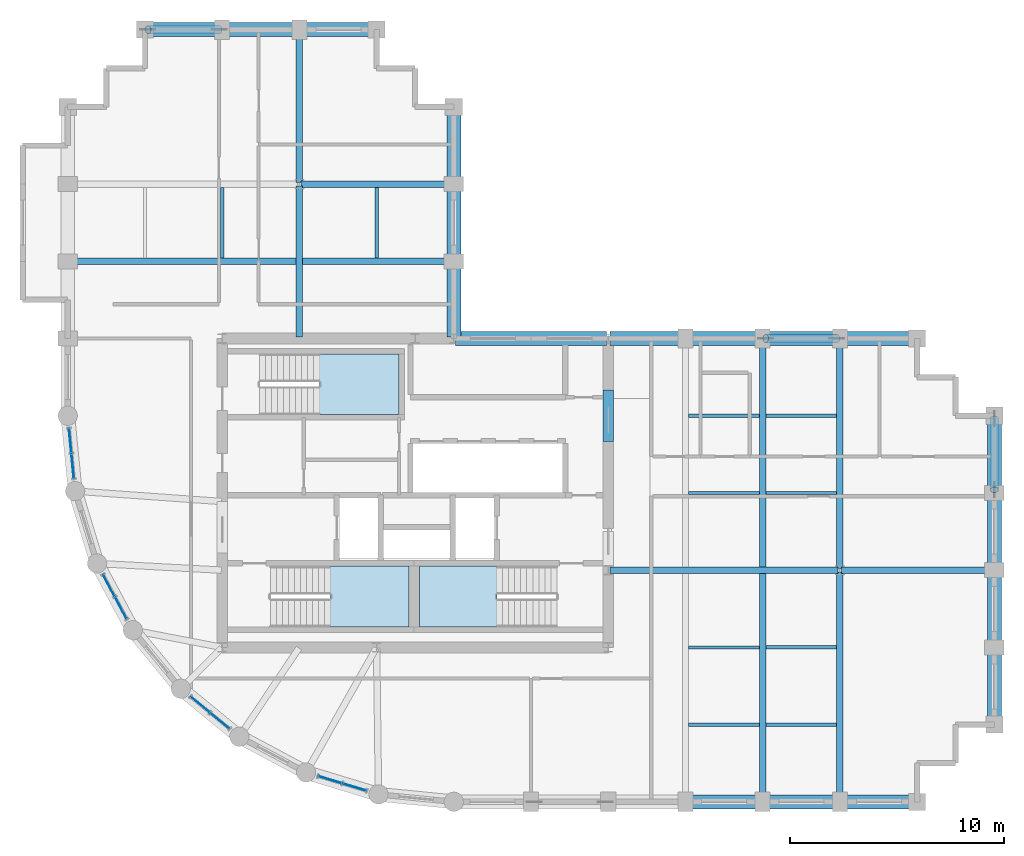
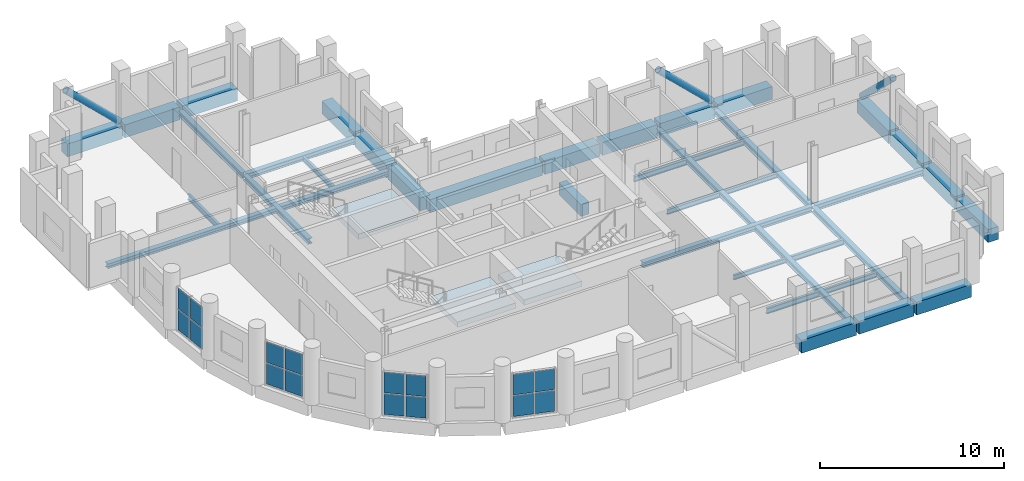
# One storey, part 7 of 12: 38 beams, 16 plates, 3 members, 3 slabs, 7 elements without a shape of their own.
"""IFC4 building model written with IfcOpenShell, lengths in metres."""

from ifc_helpers import new_model, si_unit, direction, frame, origin, origin_2d, place, context, subcontext, project, spatial, polyline, rectangle, hollow_circle, i_section, outline, extrude, material, layer, layer_set, material_profile, profile_set, type_object, element, aggregate, save


model = new_model("IFC4")

# Units and contexts
model_context = context("Model", 3, precision=1e-05, world=origin(), true_north=direction((0.0, 1.0)))
body_context = subcontext(model_context, "Body", "Model", "MODEL_VIEW")
ifc_project = project(units=[si_unit("LENGTHUNIT", "METRE"), si_unit("AREAUNIT", "SQUARE_METRE"), si_unit("VOLUMEUNIT", "CUBIC_METRE"), si_unit("PLANEANGLEUNIT", "RADIAN"), si_unit("MASSUNIT", "GRAM", prefix="KILO")], contexts=[model_context])

# Site, building, storey
site_placement = place(None, origin())
site = spatial("IfcSite", under=ifc_project, at=site_placement, CompositionType="ELEMENT")
building_placement = place(site_placement, origin())
building = spatial("IfcBuilding", under=site, at=building_placement, Name="Solnavia Interchange Tower", CompositionType="ELEMENT")
storey_placement = place(building_placement, frame((0.0, 0.0, 193.800048828125)))
storey = spatial("IfcBuildingStorey", under=building, at=storey_placement, Name="L48", CompositionType="ELEMENT", Elevation=193.800048828125)

# Beams
ifc_material_1 = material(Name="Concrete C50/60", Category="concrete")
ifc_material_profile_1 = material_profile(ifc_material_1, rectangle(XDim=0.5, YDim=0.800048828125, at=origin_2d()), Name="RC 500x800")
ifc_profile_set_1 = profile_set([ifc_material_profile_1], Name="Concrete C50/60")
beam_type_1 = type_object("IfcBeamType", Name="Beam-Coupling-RC500x800", PredefinedType="LINTEL", material=ifc_profile_set_1)
beam_1_placement = place(storey_placement, frame((32.39990234375, 20.39990234375, -0.400146484375), z_axis=(0.0, 1.0, 0.0), x_axis=(-1.0, 0.0, 0.0)))
element("IfcBeam", 1, at=beam_1_placement, inside=storey, type_object=beam_type_1, Name="CPB-L48-E2 Core coupling lintel beam", PredefinedType="LINTEL", context=body_context, shape_type="SweptSolid", body=[
    extrude(rectangle(XDim=0.5, YDim=0.800048828125, at=origin_2d()), origin(), (0.0, 0.0, 1.0), 2.400146484375),
])
ifc_material_2 = material(Name="Steel S460", Category="steel")
ifc_material_profile_2 = material_profile(ifc_material_2, i_section(OverallWidth=0.300048828125, OverallDepth=0.360107421875, WebThickness=0.012451171875, FlangeThickness=0.0224609375, FilletRadius=0.027099609375, at=origin_2d()), Name="HEB 360")
ifc_profile_set_2 = profile_set([ifc_material_profile_2], Name="Steel S460")
beam_type_2 = type_object("IfcBeamType", Name="Beam-Girder-HEB360", PredefinedType="BEAM", material=ifc_profile_set_2)
beam_2_placement = place(storey_placement, frame((32.47998046875, 14.39990234375, -0.429931640625), z_axis=(1.0, 0.0, 0.0), x_axis=(0.0, 1.0, 0.0)))
element("IfcBeam", 2, at=beam_2_placement, inside=storey, type_object=beam_type_2, Name="GRD-L48-ES01 East wing spine girder", PredefinedType="BEAM", context=body_context, shape_type="SweptSolid", body=[
    extrude(i_section(OverallWidth=0.300048828125, OverallDepth=0.360107421875, WebThickness=0.012451171875, FlangeThickness=0.0224609375, FilletRadius=0.027099609375, at=origin_2d()), origin(), (0.0, 0.0, 1.0), 10.64013671875),
])
beam_3_placement = place(storey_placement, frame((43.280029296875, 14.39990234375, -0.429931640625), z_axis=(1.0, 0.0, 0.0), x_axis=(0.0, 1.0, 0.0)))
element("IfcBeam", 3, at=beam_3_placement, inside=storey, type_object=beam_type_2, Name="GRD-L48-ES02 East wing spine girder", PredefinedType="BEAM", context=body_context, shape_type="SweptSolid", body=[
    extrude(i_section(OverallWidth=0.300048828125, OverallDepth=0.360107421875, WebThickness=0.012451171875, FlangeThickness=0.0224609375, FilletRadius=0.027099609375, at=origin_2d()), origin(), (0.0, 0.0, 1.0), 7.0400390625),
])
beam_4_placement = place(storey_placement, frame((39.60009765625, 3.679931640625, -0.429931640625), z_axis=(0.0, 1.0, 0.0), x_axis=(-1.0, 0.0, 0.0)))
element("IfcBeam", 4, at=beam_4_placement, inside=storey, type_object=beam_type_2, Name="GRD-L48-EW04 East wing primary floor girder", PredefinedType="BEAM", context=body_context, shape_type="SweptSolid", body=[
    extrude(i_section(OverallWidth=0.300048828125, OverallDepth=0.360107421875, WebThickness=0.012451171875, FlangeThickness=0.0224609375, FilletRadius=0.027099609375, at=origin_2d()), origin(), (0.0, 0.0, 1.0), 21.440185546875),
])
for number, where, z_axis, x_axis, name in (
    (5, (18.0, 25.280029296875, -0.429931640625), (0.0, 1.0, 0.0), (-1.0, 0.0, 0.0), "GRD-L48-NS07 North wing spine girder"),
    (6, (18.0, 32.47998046875, -0.429931640625), (0.0, 1.0, 0.0), (-1.0, 0.0, 0.0), "GRD-L48-NS08 North wing spine girder"),
    (7, (18.080078125, 32.39990234375, -0.429931640625), (1.0, 0.0, 0.0), (0.0, 1.0, 0.0), "GRD-L48-NW11 North wing primary floor girder"),
):
    element("IfcBeam", number, at=place(storey_placement, frame(where, z_axis=z_axis, x_axis=x_axis)), inside=storey, type_object=beam_type_2, Name=name, PredefinedType="BEAM", context=body_context, shape_type="SweptSolid", body=[
        extrude(i_section(OverallWidth=0.300048828125, OverallDepth=0.360107421875, WebThickness=0.012451171875, FlangeThickness=0.0224609375, FilletRadius=0.027099609375, at=origin_2d()), origin(), (0.0, 0.0, 1.0), 7.0400390625),
    ])
ifc_material_3 = material(Name="Steel S355", Category="steel")
ifc_material_profile_3 = material_profile(ifc_material_3, i_section(OverallWidth=0.14990234375, OverallDepth=0.300048828125, WebThickness=0.007080078125, FlangeThickness=0.0107421875, FilletRadius=0.014892578125, at=origin_2d()), Name="IPE 300")
ifc_profile_set_3 = profile_set([ifc_material_profile_3], Name="Steel S355")
beam_type_3 = type_object("IfcBeamType", Name="Beam-Joist-IPE300", PredefinedType="JOIST", material=ifc_profile_set_3)
for number, where, z_axis, x_axis, name in (
    (8, (36.14990234375, 10.800048828125, -0.400146484375), (1.0, 0.0, 0.0), (0.0, 1.0, 0.0), "JST-L48-E03 East wing secondary joist"),
    (9, (39.75, 18.0, -0.400146484375), (1.0, 0.0, 0.0), (0.0, 1.0, 0.0), "JST-L48-E06 East wing secondary joist"),
):
    element("IfcBeam", number, at=place(storey_placement, frame(where, z_axis=z_axis, x_axis=x_axis)), inside=storey, type_object=beam_type_3, Name=name, PredefinedType="JOIST", context=body_context, shape_type="SweptSolid", body=[
        extrude(i_section(OverallWidth=0.14990234375, OverallDepth=0.300048828125, WebThickness=0.007080078125, FlangeThickness=0.0107421875, FilletRadius=0.014892578125, at=origin_2d()), origin(), (0.0, 0.0, 1.0), 3.300048828125),
    ])
ifc_material_profile_4 = material_profile(ifc_material_3, i_section(OverallWidth=0.159912109375, OverallDepth=0.330078125, WebThickness=0.007568359375, FlangeThickness=0.011474609375, FilletRadius=0.01806640625, at=origin_2d()), Name="IPE 330")
ifc_profile_set_4 = profile_set([ifc_material_profile_4], Name="Steel S355")
beam_type_4 = type_object("IfcBeamType", Name="Beam-Joist-IPE330", PredefinedType="JOIST", material=ifc_profile_set_4)
for number, where, z_axis, x_axis, name in (
    (10, (39.75, 7.199951171875, -0.4150390625), (1.0, 0.0, 0.0), (0.0, 1.0, 0.0), "JST-L48-E02 East wing secondary joist"),
    (11, (36.14990234375, 18.0, -0.4150390625), (1.0, 0.0, 0.0), (0.0, 1.0, 0.0), "JST-L48-E05 East wing secondary joist"),
    (12, (39.75, 21.60009765625, -0.4150390625), (1.0, 0.0, 0.0), (0.0, 1.0, 0.0), "JST-L48-E08 East wing secondary joist"),
    (13, (21.60009765625, 28.949951171875, -0.4150390625), (0.0, 1.0, 0.0), (-1.0, 0.0, 0.0), "JST-L48-N11 North wing secondary joist"),
):
    element("IfcBeam", number, at=place(storey_placement, frame(where, z_axis=z_axis, x_axis=x_axis)), inside=storey, type_object=beam_type_4, Name=name, PredefinedType="JOIST", context=body_context, shape_type="SweptSolid", body=[
        extrude(i_section(OverallWidth=0.159912109375, OverallDepth=0.330078125, WebThickness=0.007568359375, FlangeThickness=0.011474609375, FilletRadius=0.01806640625, at=origin_2d()), origin(), (0.0, 0.0, 1.0), 3.300048828125),
    ])
ifc_material_profile_5 = material_profile(ifc_material_3, i_section(OverallWidth=0.169921875, OverallDepth=0.360107421875, WebThickness=0.008056640625, FlangeThickness=0.0126953125, FilletRadius=0.01806640625, at=origin_2d()), Name="IPE 360")
ifc_profile_set_5 = profile_set([ifc_material_profile_5], Name="Steel S355")
beam_type_5 = type_object("IfcBeamType", Name="Beam-Joist-IPE360", PredefinedType="JOIST", material=ifc_profile_set_5)
for number, where, z_axis, x_axis, name in (
    (14, (36.14990234375, 7.199951171875, -0.429931640625), (1.0, 0.0, 0.0), (0.0, 1.0, 0.0), "JST-L48-E01 East wing secondary joist"),
    (15, (39.75, 10.800048828125, -0.429931640625), (1.0, 0.0, 0.0), (0.0, 1.0, 0.0), "JST-L48-E04 East wing secondary joist"),
    (16, (36.14990234375, 21.60009765625, -0.429931640625), (1.0, 0.0, 0.0), (0.0, 1.0, 0.0), "JST-L48-E07 East wing secondary joist"),
    (17, (14.39990234375, 28.949951171875, -0.429931640625), (0.0, 1.0, 0.0), (-1.0, 0.0, 0.0), "JST-L48-N10 North wing secondary joist"),
):
    element("IfcBeam", number, at=place(storey_placement, frame(where, z_axis=z_axis, x_axis=x_axis)), inside=storey, type_object=beam_type_5, Name=name, PredefinedType="JOIST", context=body_context, shape_type="SweptSolid", body=[
        extrude(i_section(OverallWidth=0.169921875, OverallDepth=0.360107421875, WebThickness=0.008056640625, FlangeThickness=0.0126953125, FilletRadius=0.01806640625, at=origin_2d()), origin(), (0.0, 0.0, 1.0), 3.300048828125),
    ])
ifc_material_profile_6 = material_profile(ifc_material_3, i_section(OverallWidth=0.300048828125, OverallDepth=0.31005859375, WebThickness=0.009033203125, FlangeThickness=0.015380859375, FilletRadius=0.027099609375, at=origin_2d()), Name="HEA 320")
ifc_profile_set_6 = profile_set([ifc_material_profile_6], Name="Steel S355")
beam_type_6 = type_object("IfcBeamType", Name="Beam-Primary-HEA320", PredefinedType="BEAM", material=ifc_profile_set_6)
beam_5_placement = place(storey_placement, frame((7.280029296875, 28.800048828125, -0.405029296875), z_axis=(1.0, 0.0, 0.0), x_axis=(0.0, 1.0, 0.0)))
element("IfcBeam", 18, at=beam_5_placement, inside=storey, type_object=beam_type_6, Name="GRD-L48-NW09 North wing primary floor girder", PredefinedType="BEAM", context=body_context, shape_type="SweptSolid", body=[
    extrude(i_section(OverallWidth=0.300048828125, OverallDepth=0.31005859375, WebThickness=0.009033203125, FlangeThickness=0.015380859375, FilletRadius=0.027099609375, at=origin_2d()), origin(), (0.0, 0.0, 1.0), 17.840087890625),
])
ifc_material_profile_7 = material_profile(ifc_material_3, i_section(OverallWidth=0.300048828125, OverallDepth=0.35009765625, WebThickness=0.010009765625, FlangeThickness=0.017578125, FilletRadius=0.027099609375, at=origin_2d()), Name="HEA 360")
ifc_profile_set_7 = profile_set([ifc_material_profile_7], Name="Steel S355")
beam_type_7 = type_object("IfcBeamType", Name="Beam-Primary-HEA360", PredefinedType="BEAM", material=ifc_profile_set_7)
for number, where, z_axis, x_axis, name in (
    (19, (43.199951171875, 3.679931640625, -0.425048828125), (0.0, 1.0, 0.0), (-1.0, 0.0, 0.0), "GRD-L48-EW05 East wing primary floor girder"),
    (20, (43.199951171875, 14.47998046875, -0.425048828125), (0.0, 1.0, 0.0), (-1.0, 0.0, 0.0), "GRD-L48-EW06 East wing primary floor girder"),
):
    element("IfcBeam", number, at=place(storey_placement, frame(where, z_axis=z_axis, x_axis=x_axis)), inside=storey, type_object=beam_type_7, Name=name, PredefinedType="BEAM", context=body_context, shape_type="SweptSolid", body=[
        extrude(i_section(OverallWidth=0.300048828125, OverallDepth=0.35009765625, WebThickness=0.010009765625, FlangeThickness=0.017578125, FilletRadius=0.027099609375, at=origin_2d()), origin(), (0.0, 0.0, 1.0), 10.64013671875),
    ])
ifc_material_profile_8 = material_profile(ifc_material_1, rectangle(XDim=0.64990234375, YDim=0.85009765625, at=origin_2d()), Name="RC 650x850")
ifc_profile_set_8 = profile_set([ifc_material_profile_8], Name="Concrete C50/60")
beam_type_8 = type_object("IfcBeamType", Name="Beam-Spandrel-RC650x850", PredefinedType="SPANDREL", material=ifc_profile_set_8)
beam_6_placement = place(storey_placement, frame((36.080078125, 3.60009765625, -0.425048828125), z_axis=(1.0, 0.0, 0.0), x_axis=(0.0, 1.0, 0.0)))
element("IfcBeam", 21, at=beam_6_placement, inside=storey, type_object=beam_type_8, Name="SPB-L48-12 Framed-tube perimeter spandrel beam", PredefinedType="SPANDREL", context=body_context, shape_type="SweptSolid", body=[
    extrude(rectangle(XDim=0.64990234375, YDim=0.85009765625, at=origin_2d()), origin(), (0.0, 0.0, 1.0), 3.43994140625),
])
beam_7_placement = place(storey_placement, frame((39.679931640625, 3.60009765625, -0.425048828125), z_axis=(1.0, 0.0, 0.0), x_axis=(0.0, 1.0, 0.0)))
element("IfcBeam", 22, at=beam_7_placement, inside=storey, type_object=beam_type_8, Name="SPB-L48-13 Framed-tube perimeter spandrel beam", PredefinedType="SPANDREL", context=body_context, shape_type="SweptSolid", body=[
    extrude(rectangle(XDim=0.64990234375, YDim=0.85009765625, at=origin_2d()), origin(), (0.0, 0.0, 1.0), 3.440185546875),
])
for number, where, z_axis, x_axis, name in (
    (23, (43.280029296875, 3.60009765625, -0.425048828125), (1.0, 0.0, 0.0), (0.0, 1.0, 0.0), "SPB-L48-14 Framed-tube perimeter spandrel beam"),
    (24, (50.39990234375, 7.280029296875, -0.425048828125), (0.0, 1.0, 0.0), (-1.0, 0.0, 0.0), "SPB-L48-15 Framed-tube perimeter spandrel beam"),
):
    element("IfcBeam", number, at=place(storey_placement, frame(where, z_axis=z_axis, x_axis=x_axis)), inside=storey, type_object=beam_type_8, Name=name, PredefinedType="SPANDREL", context=body_context, shape_type="SweptSolid", body=[
        extrude(rectangle(XDim=0.64990234375, YDim=0.85009765625, at=origin_2d()), origin(), (0.0, 0.0, 1.0), 3.43994140625),
    ])
beam_8_placement = place(storey_placement, frame((50.39990234375, 10.8798828125, -0.425048828125), z_axis=(0.0, 1.0, 0.0), x_axis=(-1.0, 0.0, 0.0)))
element("IfcBeam", 25, at=beam_8_placement, inside=storey, type_object=beam_type_8, Name="SPB-L48-16 Framed-tube perimeter spandrel beam", PredefinedType="SPANDREL", context=body_context, shape_type="SweptSolid", body=[
    extrude(rectangle(XDim=0.64990234375, YDim=0.85009765625, at=origin_2d()), origin(), (0.0, 0.0, 1.0), 3.440185546875),
])
for number, where, z_axis, x_axis, name in (
    (26, (50.39990234375, 14.47998046875, -0.425048828125), (0.0, 1.0, 0.0), (-1.0, 0.0, 0.0), "SPB-L48-17 Framed-tube perimeter spandrel beam"),
    (27, (50.39990234375, 18.080078125, -0.425048828125), (0.0, 1.0, 0.0), (-1.0, 0.0, 0.0), "SPB-L48-18 Framed-tube perimeter spandrel beam"),
    (28, (46.719970703125, 25.199951171875, -0.425048828125), (-1.0, 0.0, 0.0), (0.0, -1.0, 0.0), "SPB-L48-19 Framed-tube perimeter spandrel beam"),
):
    element("IfcBeam", number, at=place(storey_placement, frame(where, z_axis=z_axis, x_axis=x_axis)), inside=storey, type_object=beam_type_8, Name=name, PredefinedType="SPANDREL", context=body_context, shape_type="SweptSolid", body=[
        extrude(rectangle(XDim=0.64990234375, YDim=0.85009765625, at=origin_2d()), origin(), (0.0, 0.0, 1.0), 3.43994140625),
    ])
beam_9_placement = place(storey_placement, frame((43.1201171875, 25.199951171875, -0.425048828125), z_axis=(-1.0, 0.0, 0.0), x_axis=(0.0, -1.0, 0.0)))
element("IfcBeam", 29, at=beam_9_placement, inside=storey, type_object=beam_type_8, Name="SPB-L48-20 Framed-tube perimeter spandrel beam", PredefinedType="SPANDREL", context=body_context, shape_type="SweptSolid", body=[
    extrude(rectangle(XDim=0.64990234375, YDim=0.85009765625, at=origin_2d()), origin(), (0.0, 0.0, 1.0), 3.440185546875),
])
for number, where, z_axis, x_axis, name in (
    (30, (39.52001953125, 25.199951171875, -0.425048828125), (-1.0, 0.0, 0.0), (0.0, -1.0, 0.0), "SPB-L48-21 Framed-tube perimeter spandrel beam"),
    (31, (35.919921875, 25.199951171875, -0.425048828125), (-1.0, 0.0, 0.0), (0.0, -1.0, 0.0), "SPB-L48-22 Framed-tube perimeter spandrel beam"),
):
    element("IfcBeam", number, at=place(storey_placement, frame(where, z_axis=z_axis, x_axis=x_axis)), inside=storey, type_object=beam_type_8, Name=name, PredefinedType="SPANDREL", context=body_context, shape_type="SweptSolid", body=[
        extrude(rectangle(XDim=0.64990234375, YDim=0.85009765625, at=origin_2d()), origin(), (0.0, 0.0, 1.0), 3.43994140625),
    ])
beam_10_placement = place(storey_placement, frame((32.320068359375, 25.199951171875, -0.425048828125), z_axis=(-1.0, 0.0, 0.0), x_axis=(0.0, -1.0, 0.0)))
element("IfcBeam", 32, at=beam_10_placement, inside=storey, type_object=beam_type_8, Name="SPB-L48-23 Framed-tube perimeter spandrel beam", PredefinedType="SPANDREL", context=body_context, shape_type="SweptSolid", body=[
    extrude(rectangle(XDim=0.64990234375, YDim=0.85009765625, at=origin_2d()), origin(), (0.0, 0.0, 1.0), 7.0400390625),
])
beam_11_placement = place(storey_placement, frame((25.199951171875, 25.280029296875, -0.425048828125), z_axis=(0.0, 1.0, 0.0), x_axis=(-1.0, 0.0, 0.0)))
element("IfcBeam", 33, at=beam_11_placement, inside=storey, type_object=beam_type_8, Name="SPB-L48-24 Framed-tube perimeter spandrel beam", PredefinedType="SPANDREL", context=body_context, shape_type="SweptSolid", body=[
    extrude(rectangle(XDim=0.64990234375, YDim=0.85009765625, at=origin_2d()), origin(), (0.0, 0.0, 1.0), 3.43994140625),
])
beam_12_placement = place(storey_placement, frame((25.199951171875, 28.8798828125, -0.425048828125), z_axis=(0.0, 1.0, 0.0), x_axis=(-1.0, 0.0, 0.0)))
element("IfcBeam", 34, at=beam_12_placement, inside=storey, type_object=beam_type_8, Name="SPB-L48-25 Framed-tube perimeter spandrel beam", PredefinedType="SPANDREL", context=body_context, shape_type="SweptSolid", body=[
    extrude(rectangle(XDim=0.64990234375, YDim=0.85009765625, at=origin_2d()), origin(), (0.0, 0.0, 1.0), 3.440185546875),
])
for number, where, z_axis, x_axis, name in (
    (35, (25.199951171875, 32.47998046875, -0.425048828125), (0.0, 1.0, 0.0), (-1.0, 0.0, 0.0), "SPB-L48-26 Framed-tube perimeter spandrel beam"),
    (36, (21.52001953125, 39.60009765625, -0.425048828125), (-1.0, 0.0, 0.0), (0.0, -1.0, 0.0), "SPB-L48-27 Framed-tube perimeter spandrel beam"),
    (37, (17.919921875, 39.60009765625, -0.425048828125), (-1.0, 0.0, 0.0), (0.0, -1.0, 0.0), "SPB-L48-28 Framed-tube perimeter spandrel beam"),
):
    element("IfcBeam", number, at=place(storey_placement, frame(where, z_axis=z_axis, x_axis=x_axis)), inside=storey, type_object=beam_type_8, Name=name, PredefinedType="SPANDREL", context=body_context, shape_type="SweptSolid", body=[
        extrude(rectangle(XDim=0.64990234375, YDim=0.85009765625, at=origin_2d()), origin(), (0.0, 0.0, 1.0), 3.43994140625),
    ])
beam_13_placement = place(storey_placement, frame((14.320068359375, 39.60009765625, -0.425048828125), z_axis=(-1.0, 0.0, 0.0), x_axis=(0.0, -1.0, 0.0)))
element("IfcBeam", 38, at=beam_13_placement, inside=storey, type_object=beam_type_8, Name="SPB-L48-29 Framed-tube perimeter spandrel beam", PredefinedType="SPANDREL", context=body_context, shape_type="SweptSolid", body=[
    extrude(rectangle(XDim=0.64990234375, YDim=0.85009765625, at=origin_2d()), origin(), (0.0, 0.0, 1.0), 3.440185546875),
])

# Members
ifc_material_profile_9 = material_profile(ifc_material_2, hollow_circle(Radius=0.203125, WallThickness=0.02001953125, at=origin_2d()), Name="CHS 406.4x20")
ifc_profile_set_9 = profile_set([ifc_material_profile_9], Name="Steel S460")
member_type = type_object("IfcMemberType", Name="Brace-Perim-CHS406", PredefinedType="BRACE", material=ifc_profile_set_9)
for number, where, z_axis, x_axis, name in (
    (39, (50.39990234375, 21.4599609375, 0.179931640625), (0.0, -0.721096918576, 0.692834203847), (1.0, 0.0, 0.0), "BRC-L48-02 Perimeter tube diagonal brace"),
    (40, (14.260009765625, 39.60009765625, 0.179931640625), (-0.721096918576, 0.0, 0.692834203847), (0.0, -1.0, 0.0), "BRC-L48-03 Perimeter tube diagonal brace"),
    (41, (43.06005859375, 25.199951171875, 0.179931640625), (-0.721096918576, 0.0, 0.692834203847), (0.0, -1.0, 0.0), "BRC-L48-04 Perimeter tube diagonal brace"),
):
    element("IfcMember", number, at=place(storey_placement, frame(where, z_axis=z_axis, x_axis=x_axis)), inside=storey, type_object=member_type, Name=name, PredefinedType="BRACE", context=body_context, shape_type="SweptSolid", body=[
        extrude(hollow_circle(Radius=0.203125, WallThickness=0.02001953125, at=origin_2d()), origin(), (0.0, 0.0, 1.0), 4.604248046875),
    ])

# Curtain wall, plates
ifc_material_4 = material(Name="Aluminium Alloy 6063-T6", Category="aluminium")
ifc_layer_1 = layer(ifc_material_4, 0.239990234375)
ifc_layer_set_1 = layer_set([ifc_layer_1], Name="Aluminium Alloy 6063-T6")
curtain_wall_type = type_object("IfcCurtainWallType", Name="CurtainWall-Drum-CTW2", PredefinedType="NOTDEFINED", material=ifc_layer_set_1)
curtain_wall_1_placement = place(storey_placement, origin())
curtain_wall_1 = element("IfcCurtainWall", 42, at=curtain_wall_1_placement, inside=storey, type_object=curtain_wall_type, Name="CTW-L48-D47 CTW-2 curtain wall", PredefinedType="NOTDEFINED")
ifc_material_5 = material(Name="Double-Glazed Low-E IGU Glass", Category="glass")
ifc_layer_2 = layer(ifc_material_5, 0.031982421875)
ifc_layer_set_2 = layer_set([ifc_layer_2], Name="Double-Glazed Low-E IGU Glass")
plate_type = type_object("IfcPlateType", Name="CW-Panel-Solar-32", PredefinedType="CURTAIN_PANEL", material=ifc_layer_set_2)
plate_1_placement = place(storey_placement, frame((7.314697265625, 20.435791015625, 0.06494140625), z_axis=(0.0, 0.0, 1.0), x_axis=(0.098043088306, -0.995182170678, 0.0)))
plate_1 = element("IfcPlate", 43, at=plate_1_placement, type_object=plate_type, Name="CTW-2 panel 1.1", PredefinedType="CURTAIN_PANEL", context=body_context, shape_type="SweptSolid", body=[
    extrude(rectangle(XDim=1.114501953125, YDim=0.031982421875, at=origin_2d()), origin(), (0.0, 0.0, 1.0), 1.367431640625),
])
plate_2_placement = place(storey_placement, frame((7.314697265625, 20.435791015625, 1.49755859375), z_axis=(0.0, 0.0, 1.0), x_axis=(0.098043088306, -0.995182170678, 0.0)))
plate_2 = element("IfcPlate", 44, at=plate_2_placement, type_object=plate_type, Name="CTW-2 panel 1.2", PredefinedType="CURTAIN_PANEL", context=body_context, shape_type="SweptSolid", body=[
    extrude(rectangle(XDim=1.114501953125, YDim=0.031982421875, at=origin_2d()), origin(), (0.0, 0.0, 1.0), 1.367431640625),
])
plate_3_placement = place(storey_placement, frame((7.431396484375, 19.252197265625, 0.06494140625), z_axis=(0.0, 0.0, 1.0), x_axis=(0.098043088306, -0.995182170678, 0.0)))
plate_3 = element("IfcPlate", 45, at=plate_3_placement, type_object=plate_type, Name="CTW-2 panel 2.1", PredefinedType="CURTAIN_PANEL", context=body_context, shape_type="SweptSolid", body=[
    extrude(rectangle(XDim=1.114501953125, YDim=0.031982421875, at=origin_2d()), origin(), (0.0, 0.0, 1.0), 1.367431640625),
])
plate_4_placement = place(storey_placement, frame((7.431396484375, 19.252197265625, 1.49755859375), z_axis=(0.0, 0.0, 1.0), x_axis=(0.098043088306, -0.995182170678, 0.0)))
plate_4 = element("IfcPlate", 46, at=plate_4_placement, type_object=plate_type, Name="CTW-2 panel 2.2", PredefinedType="CURTAIN_PANEL", context=body_context, shape_type="SweptSolid", body=[
    extrude(rectangle(XDim=1.114501953125, YDim=0.031982421875, at=origin_2d()), origin(), (0.0, 0.0, 1.0), 1.367431640625),
])
aggregate(curtain_wall_1, [plate_1, plate_2, plate_3, plate_4])

curtain_wall_2_placement = place(storey_placement, origin())
curtain_wall_2 = element("IfcCurtainWall", 47, at=curtain_wall_2_placement, inside=storey, type_object=curtain_wall_type, Name="CTW-L48-D49 CTW-2 curtain wall", PredefinedType="NOTDEFINED")
plate_5_placement = place(storey_placement, frame((9.12158203125, 13.680419921875, 0.06494140625), z_axis=(0.0, 0.0, 1.0), x_axis=(0.471560876964, -0.881833509976, 0.0)))
plate_5 = element("IfcPlate", 48, at=plate_5_placement, type_object=plate_type, Name="CTW-2 panel 1.1", PredefinedType="CURTAIN_PANEL", context=body_context, shape_type="SweptSolid", body=[
    extrude(rectangle(XDim=1.114501953125, YDim=0.031982421875, at=origin_2d()), origin(), (0.0, 0.0, 1.0), 1.367431640625),
])
plate_6_placement = place(storey_placement, frame((9.12158203125, 13.680419921875, 1.49755859375), z_axis=(0.0, 0.0, 1.0), x_axis=(0.471560876964, -0.881833509976, 0.0)))
plate_6 = element("IfcPlate", 49, at=plate_6_placement, type_object=plate_type, Name="CTW-2 panel 1.2", PredefinedType="CURTAIN_PANEL", context=body_context, shape_type="SweptSolid", body=[
    extrude(rectangle(XDim=1.114501953125, YDim=0.031982421875, at=origin_2d()), origin(), (0.0, 0.0, 1.0), 1.367431640625),
])
plate_7_placement = place(storey_placement, frame((9.682373046875, 12.631591796875, 0.06494140625), z_axis=(0.0, 0.0, 1.0), x_axis=(0.471560876964, -0.881833509976, 0.0)))
plate_7 = element("IfcPlate", 50, at=plate_7_placement, type_object=plate_type, Name="CTW-2 panel 2.1", PredefinedType="CURTAIN_PANEL", context=body_context, shape_type="SweptSolid", body=[
    extrude(rectangle(XDim=1.114501953125, YDim=0.031982421875, at=origin_2d()), origin(), (0.0, 0.0, 1.0), 1.367431640625),
])
plate_8_placement = place(storey_placement, frame((9.682373046875, 12.631591796875, 1.49755859375), z_axis=(0.0, 0.0, 1.0), x_axis=(0.471560876964, -0.881833509976, 0.0)))
plate_8 = element("IfcPlate", 51, at=plate_8_placement, type_object=plate_type, Name="CTW-2 panel 2.2", PredefinedType="CURTAIN_PANEL", context=body_context, shape_type="SweptSolid", body=[
    extrude(rectangle(XDim=1.114501953125, YDim=0.031982421875, at=origin_2d()), origin(), (0.0, 0.0, 1.0), 1.367431640625),
])
aggregate(curtain_wall_2, [plate_5, plate_6, plate_7, plate_8])

curtain_wall_3_placement = place(storey_placement, origin())
curtain_wall_3 = element("IfcCurtainWall", 52, at=curtain_wall_3_placement, inside=storey, type_object=curtain_wall_type, Name="CTW-L48-D51 CTW-2 curtain wall", PredefinedType="NOTDEFINED")
plate_9_placement = place(storey_placement, frame((13.376220703125, 8.130126953125, 0.06494140625), z_axis=(0.0, 0.0, 1.0), x_axis=(0.773103093557, -0.634280384951, 0.0)))
plate_9 = element("IfcPlate", 53, at=plate_9_placement, type_object=plate_type, Name="CTW-2 panel 1.1", PredefinedType="CURTAIN_PANEL", context=body_context, shape_type="SweptSolid", body=[
    extrude(rectangle(XDim=1.1142578125, YDim=0.031982421875, at=origin_2d()), origin(), (0.0, 0.0, 1.0), 1.367431640625),
])
plate_10_placement = place(storey_placement, frame((13.376220703125, 8.130126953125, 1.49755859375), z_axis=(0.0, 0.0, 1.0), x_axis=(0.773103093557, -0.634280384951, 0.0)))
plate_10 = element("IfcPlate", 54, at=plate_10_placement, type_object=plate_type, Name="CTW-2 panel 1.2", PredefinedType="CURTAIN_PANEL", context=body_context, shape_type="SweptSolid", body=[
    extrude(rectangle(XDim=1.1142578125, YDim=0.031982421875, at=origin_2d()), origin(), (0.0, 0.0, 1.0), 1.367431640625),
])
plate_11_placement = place(storey_placement, frame((14.295654296875, 7.375732421875, 0.06494140625), z_axis=(0.0, 0.0, 1.0), x_axis=(0.773103093557, -0.634280384951, 0.0)))
plate_11 = element("IfcPlate", 55, at=plate_11_placement, type_object=plate_type, Name="CTW-2 panel 2.1", PredefinedType="CURTAIN_PANEL", context=body_context, shape_type="SweptSolid", body=[
    extrude(rectangle(XDim=1.1142578125, YDim=0.031982421875, at=origin_2d()), origin(), (0.0, 0.0, 1.0), 1.367431640625),
])
plate_12_placement = place(storey_placement, frame((14.295654296875, 7.375732421875, 1.49755859375), z_axis=(0.0, 0.0, 1.0), x_axis=(0.773103093557, -0.634280384951, 0.0)))
plate_12 = element("IfcPlate", 56, at=plate_12_placement, type_object=plate_type, Name="CTW-2 panel 2.2", PredefinedType="CURTAIN_PANEL", context=body_context, shape_type="SweptSolid", body=[
    extrude(rectangle(XDim=1.1142578125, YDim=0.031982421875, at=origin_2d()), origin(), (0.0, 0.0, 1.0), 1.367431640625),
])
aggregate(curtain_wall_3, [plate_9, plate_10, plate_11, plate_12])

curtain_wall_4_placement = place(storey_placement, origin())
curtain_wall_4 = element("IfcCurtainWall", 57, at=curtain_wall_4_placement, inside=storey, type_object=curtain_wall_type, Name="CTW-L48-D53 CTW-2 curtain wall", PredefinedType="NOTDEFINED")
plate_13_placement = place(storey_placement, frame((19.43115234375, 4.630615234375, 0.06494140625), z_axis=(0.0, 0.0, 1.0), x_axis=(0.956942072515, -0.290278951786, 0.0)))
plate_13 = element("IfcPlate", 58, at=plate_13_placement, type_object=plate_type, Name="CTW-2 panel 1.1", PredefinedType="CURTAIN_PANEL", context=body_context, shape_type="SweptSolid", body=[
    extrude(rectangle(XDim=1.114013671875, YDim=0.031982421875, at=origin_2d()), origin(), (0.0, 0.0, 1.0), 1.367431640625),
])
plate_14_placement = place(storey_placement, frame((19.43115234375, 4.630615234375, 1.49755859375), z_axis=(0.0, 0.0, 1.0), x_axis=(0.956942072515, -0.290278951786, 0.0)))
plate_14 = element("IfcPlate", 59, at=plate_14_placement, type_object=plate_type, Name="CTW-2 panel 1.2", PredefinedType="CURTAIN_PANEL", context=body_context, shape_type="SweptSolid", body=[
    extrude(rectangle(XDim=1.114013671875, YDim=0.031982421875, at=origin_2d()), origin(), (0.0, 0.0, 1.0), 1.367431640625),
])
plate_15_placement = place(storey_placement, frame((20.56884765625, 4.285400390625, 0.06494140625), z_axis=(0.0, 0.0, 1.0), x_axis=(0.956942072515, -0.290278951786, 0.0)))
plate_15 = element("IfcPlate", 60, at=plate_15_placement, type_object=plate_type, Name="CTW-2 panel 2.1", PredefinedType="CURTAIN_PANEL", context=body_context, shape_type="SweptSolid", body=[
    extrude(rectangle(XDim=1.114013671875, YDim=0.031982421875, at=origin_2d()), origin(), (0.0, 0.0, 1.0), 1.367431640625),
])
plate_16_placement = place(storey_placement, frame((20.56884765625, 4.285400390625, 1.49755859375), z_axis=(0.0, 0.0, 1.0), x_axis=(0.956942072515, -0.290278951786, 0.0)))
plate_16 = element("IfcPlate", 61, at=plate_16_placement, type_object=plate_type, Name="CTW-2 panel 2.2", PredefinedType="CURTAIN_PANEL", context=body_context, shape_type="SweptSolid", body=[
    extrude(rectangle(XDim=1.114013671875, YDim=0.031982421875, at=origin_2d()), origin(), (0.0, 0.0, 1.0), 1.367431640625),
])
aggregate(curtain_wall_4, [plate_13, plate_14, plate_15, plate_16])

# Stair, slab
ifc_material_6 = material(Name="Concrete C40/50", Category="concrete")
stair_type = type_object("IfcStairType", Name="Stair-Dogleg-RC", PredefinedType="HALF_TURN_STAIR", material=ifc_material_6)
stair_1_placement = place(storey_placement, origin())
stair_1 = element("IfcStair", 62, at=stair_1_placement, inside=storey, type_object=stair_type, Name="L48 Core exit stair 1", PredefinedType="HALF_TURN_STAIR")
ifc_layer_3 = layer(ifc_material_6, 0.35009765625)
ifc_layer_set_3 = layer_set([ifc_layer_3], Name="Concrete C40/50")
slab_type = type_object("IfcSlabType", Name="Slab-StairLanding-350", PredefinedType="LANDING", material=ifc_layer_set_3)
slab_1_placement = place(storey_placement, frame((0.0, 0.0, 1.550048828125)))
slab_1 = element("IfcSlab", 63, at=slab_1_placement, type_object=slab_type, Name="ST-1 landing 1", PredefinedType="LANDING", context=body_context, shape_type="SweptSolid", body=[
    extrude(outline(polyline([(19.427978515625, 11.75), (23.10009765625, 11.75), (23.10009765625, 14.590087890625), (19.427978515625, 14.590087890625), (19.427978515625, 11.75)])), origin(), (0.0, 0.0, 1.0), 0.349853515625),
])
aggregate(stair_1, [slab_1])

stair_2_placement = place(storey_placement, origin())
stair_2 = element("IfcStair", 64, at=stair_2_placement, inside=storey, type_object=stair_type, Name="L48 Core exit stair 2", PredefinedType="HALF_TURN_STAIR")
slab_2_placement = place(storey_placement, frame((0.0, 0.0, 1.550048828125)))
slab_2 = element("IfcSlab", 65, at=slab_2_placement, type_object=slab_type, Name="ST-2 landing 1", PredefinedType="LANDING", context=body_context, shape_type="SweptSolid", body=[
    extrude(outline(polyline([(23.60009765625, 11.75), (27.221923828125, 11.75), (27.221923828125, 14.590087890625), (23.60009765625, 14.590087890625), (23.60009765625, 11.75)])), origin(), (0.0, 0.0, 1.0), 0.349853515625),
])
aggregate(stair_2, [slab_2])

stair_3_placement = place(storey_placement, origin())
stair_3 = element("IfcStair", 66, at=stair_3_placement, inside=storey, type_object=stair_type, Name="L48 Core exit stair 3", PredefinedType="HALF_TURN_STAIR")
slab_3_placement = place(storey_placement, frame((0.0, 0.0, 1.550048828125)))
slab_3 = element("IfcSlab", 67, at=slab_3_placement, type_object=slab_type, Name="ST-3 landing 1", PredefinedType="LANDING", context=body_context, shape_type="SweptSolid", body=[
    extrude(outline(polyline([(18.927978515625, 21.64990234375), (22.64990234375, 21.64990234375), (22.64990234375, 24.489990234375), (18.927978515625, 24.489990234375), (18.927978515625, 21.64990234375)])), origin(), (0.0, 0.0, 1.0), 0.349853515625),
])
aggregate(stair_3, [slab_3])

save(model, "model.ifc")
